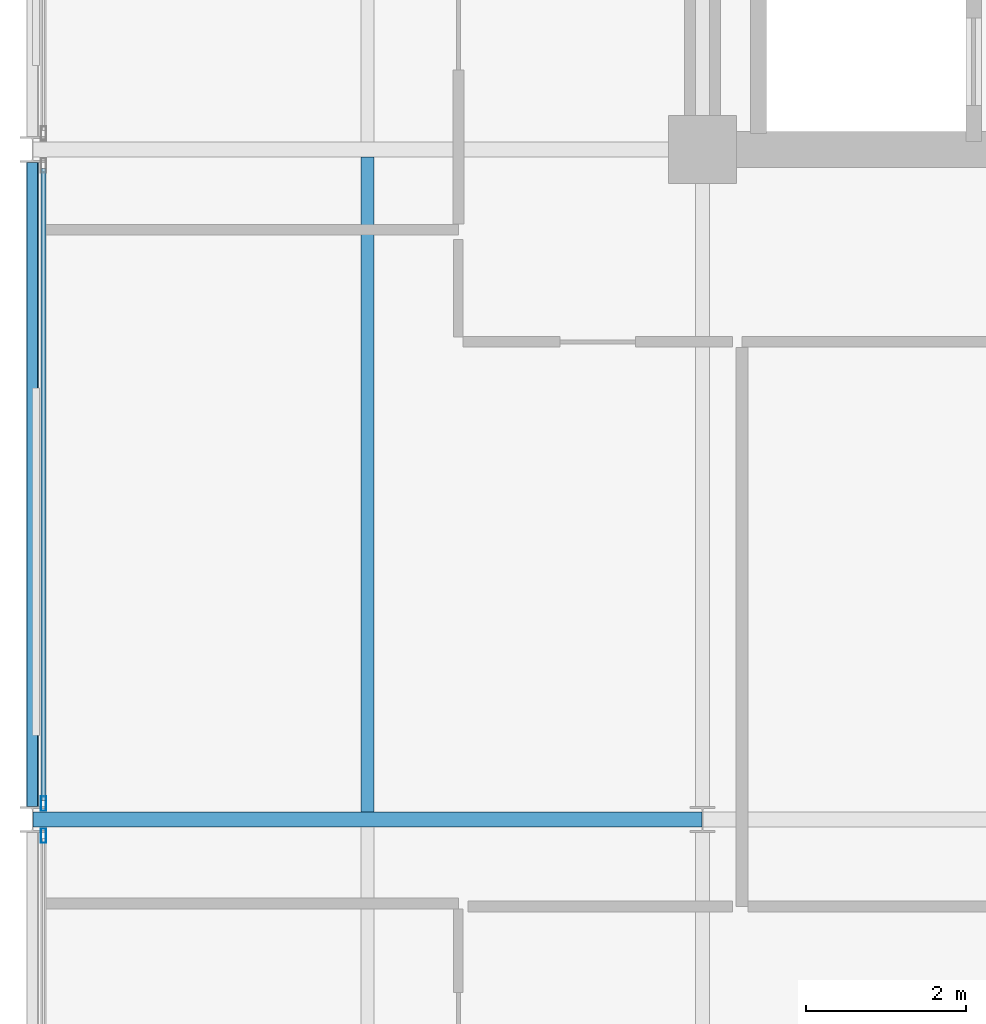
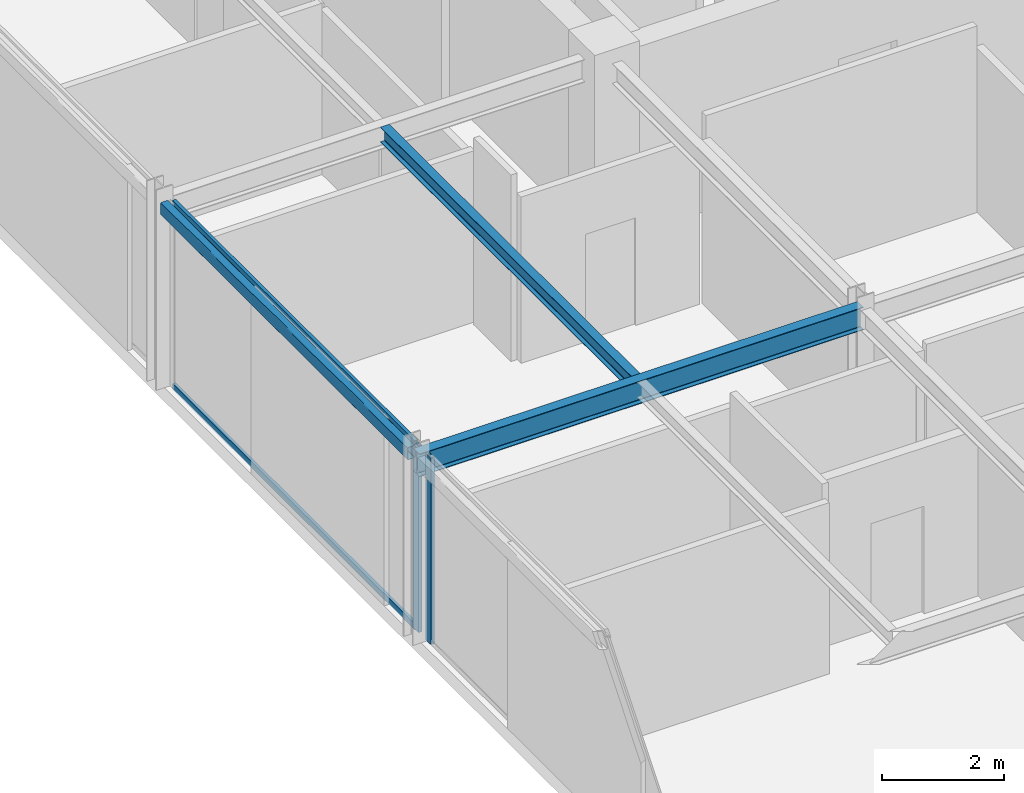
# One storey, part 9 of 24: 4 members, 3 beams, 2 elements without a shape of their own.
"""IFC4 building model written with IfcOpenShell, lengths in metres."""

from ifc_helpers import new_model, si_unit, direction, frame, origin, origin_2d, place, context, subcontext, project, spatial, hollow_rectangle, i_section, extrude, material, layer, layer_set, material_profile, profile_set, type_object, element, aggregate, save


model = new_model("IFC4")

# Units and contexts
model_context = context("Model", 3, precision=1e-05, world=origin(), true_north=direction((0.0, 1.0)))
body_context = subcontext(model_context, "Body", "Model", "MODEL_VIEW")
ifc_project = project(units=[si_unit("LENGTHUNIT", "METRE"), si_unit("AREAUNIT", "SQUARE_METRE"), si_unit("VOLUMEUNIT", "CUBIC_METRE"), si_unit("PLANEANGLEUNIT", "RADIAN"), si_unit("MASSUNIT", "GRAM", prefix="KILO")], contexts=[model_context])

# Site, building, storey
site_placement = place(None, origin())
site = spatial("IfcSite", under=ifc_project, at=site_placement, CompositionType="ELEMENT")
building_placement = place(site_placement, origin())
building = spatial("IfcBuilding", under=site, at=building_placement, Name="Nerrivon Quay Data Exchange", CompositionType="ELEMENT")
storey_placement = place(building_placement, frame((0.0, 0.0, 310.199951171875)))
storey = spatial("IfcBuildingStorey", under=building, at=storey_placement, Name="L74", CompositionType="ELEMENT", Elevation=310.199951171875)

# Beams
ifc_material_1 = material(Name="Steel Grade 350", Category="steel")
ifc_material_profile_1 = material_profile(ifc_material_1, i_section(OverallWidth=0.18994140625, OverallDepth=0.4541015625, WebThickness=0.008544921875, FlangeThickness=0.0126953125, FilletRadius=0.011474609375, at=origin_2d()), Name="460UB67.1")
ifc_profile_set_1 = profile_set([ifc_material_profile_1], Name="Steel Grade 350")
beam_type_1 = type_object("IfcBeamType", Name="BM-G6-460UB67", PredefinedType="BEAM", material=ifc_profile_set_1)
beam_1_placement = place(storey_placement, frame((0.0078125, 16.800048828125, 3.498046875), z_axis=(1.0, 0.0, 0.0), x_axis=(0.0, 1.0, 0.0)))
element("IfcBeam", 1, at=beam_1_placement, inside=storey, type_object=beam_type_1, Name="L74 EW Girder Y=16.8 (0.0..8.4)", PredefinedType="BEAM", context=body_context, shape_type="SweptSolid", body=[
    extrude(i_section(OverallWidth=0.18994140625, OverallDepth=0.4541015625, WebThickness=0.008544921875, FlangeThickness=0.0126953125, FilletRadius=0.011474609375, at=origin_2d()), origin(), (0.0, 0.0, 1.0), 8.38427734375),
])
ifc_material_profile_2 = material_profile(ifc_material_1, i_section(OverallWidth=0.1650390625, OverallDepth=0.303955078125, WebThickness=0.006103515625, FlangeThickness=0.01025390625, FilletRadius=0.011474609375, at=origin_2d()), Name="310UB40.4")
ifc_profile_set_2 = profile_set([ifc_material_profile_2], Name="Steel Grade 350")
beam_type_2 = type_object("IfcBeamType", Name="BM-J6-310UB40", PredefinedType="JOIST", material=ifc_profile_set_2)
beam_2_placement = place(storey_placement, frame((4.199951171875, 16.89501953125, 3.572998046875), z_axis=(0.0, 1.0, 0.0), x_axis=(-1.0, 0.0, 0.0)))
element("IfcBeam", 2, at=beam_2_placement, inside=storey, type_object=beam_type_2, Name="L74 Secondary Joist X=4.2 (16.8..25.2)", PredefinedType="JOIST", context=body_context, shape_type="SweptSolid", body=[
    extrude(i_section(OverallWidth=0.1650390625, OverallDepth=0.303955078125, WebThickness=0.006103515625, FlangeThickness=0.01025390625, FilletRadius=0.011474609375, at=origin_2d()), origin(), (0.0, 0.0, 1.0), 8.2099609375),
])
ifc_material_2 = material(Name="Steel Grade C350L0 (350 MPa)", Category="steel")
ifc_material_profile_3 = material_profile(ifc_material_2, hollow_rectangle(XDim=0.14990234375, YDim=0.25, WallThickness=0.009033203125, InnerFilletRadius=0.013427734375, OuterFilletRadius=0.0224609375, at=origin_2d()), Name="250x150x9.0RHS")
ifc_profile_set_3 = profile_set([ifc_material_profile_3], Name="Steel Grade C350L0 (350 MPa)")
beam_type_3 = type_object("IfcBeamType", Name="BM-SP4-250x150RHS", PredefinedType="SPANDREL", material=ifc_profile_set_3)
beam_3_placement = place(storey_placement, frame((0.0, 16.96337890625, 3.60009765625), z_axis=(0.0, 1.0, 0.0), x_axis=(-1.0, 0.0, 0.0)))
element("IfcBeam", 3, at=beam_3_placement, inside=storey, type_object=beam_type_3, Name="L74 NS Girder X=0.0 (16.8..25.2)", PredefinedType="SPANDREL", context=body_context, shape_type="SweptSolid", body=[
    extrude(hollow_rectangle(XDim=0.14990234375, YDim=0.25, WallThickness=0.009033203125, InnerFilletRadius=0.013427734375, OuterFilletRadius=0.0224609375, at=origin_2d()), origin(), (0.0, 0.0, 1.0), 8.0732421875),
])

# Curtain wall, member
ifc_material_3 = material(Name="Anodised aluminium 6063-T6", Category="aluminium")
ifc_layer = layer(ifc_material_3, 0.195068359375)
ifc_layer_set = layer_set([ifc_layer], Name="Anodised aluminium 6063-T6")
curtain_wall_type = type_object("IfcCurtainWallType", Name="CW-SYS-06", PredefinedType="NOTDEFINED", material=ifc_layer_set)
curtain_wall_1_placement = place(storey_placement, origin())
curtain_wall_1 = element("IfcCurtainWall", 4, at=curtain_wall_1_placement, inside=storey, type_object=curtain_wall_type, Name="L74 Unitised Curtain Wall 9", PredefinedType="NOTDEFINED")
ifc_material_profile_4 = material_profile(ifc_material_3, hollow_rectangle(XDim=0.06494140625, YDim=0.179931640625, WallThickness=0.00341796875, at=origin_2d()), Name="ALU-MULL-180x65")
ifc_profile_set_4 = profile_set([ifc_material_profile_4], Name="Anodised aluminium 6063-T6")
member_type_1 = type_object("IfcMemberType", Name="CWM-180x65", PredefinedType="MULLION", material=ifc_profile_set_4)
member_1_placement = place(storey_placement, frame((0.139892578125, 16.59912109375, 0.0), z_axis=(0.0, 0.0, 1.0), x_axis=(-1.0, 0.0, 0.0)))
member_1 = element("IfcMember", 5, at=member_1_placement, type_object=member_type_1, Name="CW06 mullion 2", PredefinedType="MULLION", context=body_context, shape_type="SweptSolid", body=[
    extrude(hollow_rectangle(XDim=0.06494140625, YDim=0.179931640625, WallThickness=0.00341796875, at=origin_2d()), origin(), (0.0, 0.0, 1.0), 3.72509765625),
])
aggregate(curtain_wall_1, [member_1])

# Curtain wall, members
curtain_wall_2_placement = place(storey_placement, origin())
curtain_wall_2 = element("IfcCurtainWall", 6, at=curtain_wall_2_placement, inside=storey, type_object=curtain_wall_type, Name="L74 Unitised Curtain Wall 10", PredefinedType="NOTDEFINED")
member_2_placement = place(storey_placement, frame((0.139892578125, 17.0009765625, 0.0), z_axis=(0.0, 0.0, 1.0), x_axis=(-1.0, 0.0, 0.0)))
member_2 = element("IfcMember", 7, at=member_2_placement, type_object=member_type_1, Name="CW06 mullion 1", PredefinedType="MULLION", context=body_context, shape_type="SweptSolid", body=[
    extrude(hollow_rectangle(XDim=0.06494140625, YDim=0.179931640625, WallThickness=0.00341796875, at=origin_2d()), origin(), (0.0, 0.0, 1.0), 3.72509765625),
])
ifc_material_profile_5 = material_profile(ifc_material_3, hollow_rectangle(XDim=0.06005859375, YDim=0.1201171875, WallThickness=0.003173828125, at=origin_2d()), Name="ALU-TRAN-120x60")
ifc_profile_set_5 = profile_set([ifc_material_profile_5], Name="Anodised aluminium 6063-T6")
member_type_2 = type_object("IfcMemberType", Name="CWT-120x60", PredefinedType="USERDEFINED", material=ifc_profile_set_5)
member_3_placement = place(storey_placement, frame((0.139892578125, 17.03857421875, 0.032470703125), z_axis=(0.0, 1.0, 0.0), x_axis=(-1.0, 0.0, 0.0)))
member_3 = element("IfcMember", 8, at=member_3_placement, type_object=member_type_2, Name="CW06 transom 1.1", ObjectType="TRANSOM", PredefinedType="USERDEFINED", context=body_context, shape_type="SweptSolid", body=[
    extrude(hollow_rectangle(XDim=0.06005859375, YDim=0.1201171875, WallThickness=0.003173828125, at=origin_2d()), origin(), (0.0, 0.0, 1.0), 7.9228515625),
])
member_4_placement = place(storey_placement, frame((0.139892578125, 17.03857421875, 3.692626953125), z_axis=(0.0, 1.0, 0.0), x_axis=(-1.0, 0.0, 0.0)))
member_4 = element("IfcMember", 9, at=member_4_placement, type_object=member_type_2, Name="CW06 transom 1.2", ObjectType="TRANSOM", PredefinedType="USERDEFINED", context=body_context, shape_type="SweptSolid", body=[
    extrude(hollow_rectangle(XDim=0.06005859375, YDim=0.1201171875, WallThickness=0.003173828125, at=origin_2d()), origin(), (0.0, 0.0, 1.0), 7.9228515625),
])
aggregate(curtain_wall_2, [member_2, member_3, member_4])

save(model, "model.ifc")
